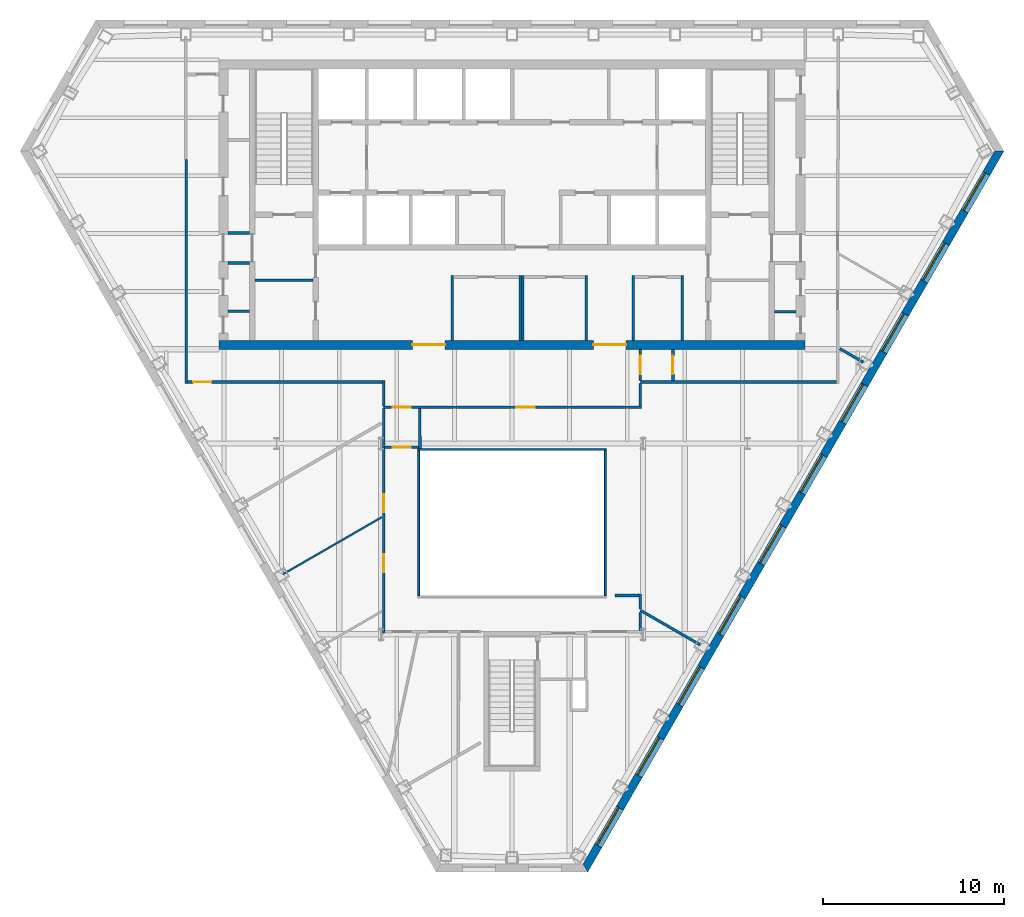
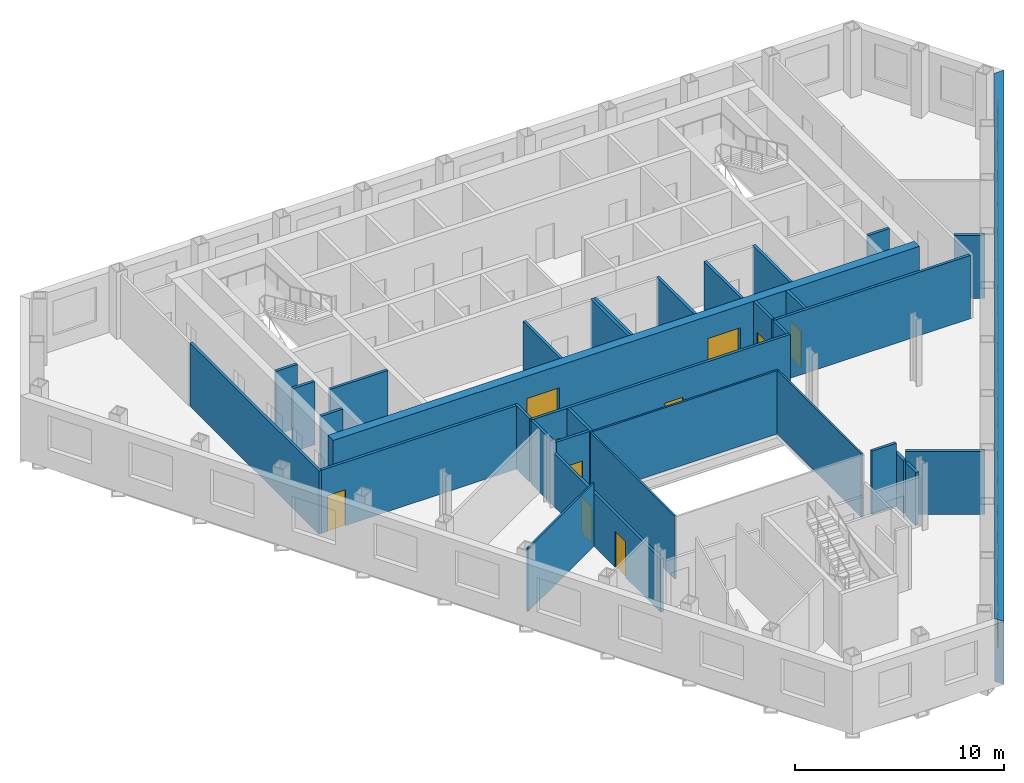
# One storey, part 5 of 11: 34 walls, 10 doors, 10 windows, 20 openings.
"""IFC4 building model written with IfcOpenShell, lengths in metres."""

import ifcopenshell
import ifcopenshell.guid

model = None  # the IFC model being written
_history = None  # IfcOwnerHistory: only IFC2X3 demands one
_inside = {}  # id of a spatial element -> (the spatial element, [elements in it])
_under = {}  # id of a project, library or spatial element -> (it, [spatial elements below it])
_declared = {}  # id of a project -> (the project, [libraries it declares])
_typed = {}  # id of a type object -> (the type object, [elements of that type])
_made_of = {}  # id of a material, layer set ... -> (it, [elements and type objects made of it])


def new_model(schema):
    """Start an empty IFC model of exactly this schema.

    Asked for "IFC4X3", IfcOpenShell would pick the latest addendum, in which some entities
    have other attributes; the version numbers below select the first issue.
    IFC2X3 requires an IfcOwnerHistory on every rooted entity: one is made here for all.
    """
    global model, _history
    if schema == "IFC4X3":
        model = ifcopenshell.file(schema_version=(4, 3, 0, 0))
    else:
        model = ifcopenshell.file(schema=schema)
    _inside.clear()
    _under.clear()
    _declared.clear()
    _typed.clear()
    _made_of.clear()
    _history = None
    if model.schema == "IFC2X3":
        org = make("IfcOrganization", Name="unknown")
        user = make(
            "IfcPersonAndOrganization",
            ThePerson=make("IfcPerson", FamilyName="unknown"),
            TheOrganization=org,
        )
        app = make(
            "IfcApplication",
            ApplicationDeveloper=org,
            Version="unknown",
            ApplicationFullName="unknown",
            ApplicationIdentifier="unknown",
        )
        _history = make(
            "IfcOwnerHistory",
            OwningUser=user,
            OwningApplication=app,
            ChangeAction="ADDED",
            CreationDate=0,
        )
    return model


def make(cls, **values):
    """One entity of the class cls with the attributes given. An attribute that is None is left unset."""
    return model.create_entity(
        cls, **{name: value for name, value in values.items() if value is not None}
    )


def rooted(cls, **values):
    """An entity with a GlobalId (a new one), such as an element, a storey or a relation."""
    return make(cls, GlobalId=ifcopenshell.guid.new(), OwnerHistory=_history, **values)


def si_unit(unit_type, name, prefix=None):
    """IfcSIUnit, for example si_unit("LENGTHUNIT", "METRE", prefix="MILLI")."""
    return make("IfcSIUnit", UnitType=unit_type, Prefix=prefix, Name=name)


def assignment(units):
    """IfcUnitAssignment: the units of a project."""
    return None if units is None else make("IfcUnitAssignment", Units=units)


def point(xyz):
    """IfcCartesianPoint."""
    return None if xyz is None else make("IfcCartesianPoint", Coordinates=xyz)


def direction(xyz):
    """IfcDirection."""
    return None if xyz is None else make("IfcDirection", DirectionRatios=xyz)


def frame(location, z_axis=None, x_axis=None):
    """IfcAxis2Placement3D, a coordinate frame: its origin and axes. An axis left out is left unset."""
    return make(
        "IfcAxis2Placement3D",
        Location=point(location),
        Axis=direction(z_axis),
        RefDirection=direction(x_axis),
    )


def frame_2d(location, x_axis=None):
    """IfcAxis2Placement2D, a coordinate frame in the plane: its origin and x axis."""
    return make(
        "IfcAxis2Placement2D", Location=point(location), RefDirection=direction(x_axis)
    )


def origin():
    """The frame at (0, 0, 0) with its axes left unset."""
    return frame((0.0, 0.0, 0.0))


def place(relative_to, where):
    """IfcLocalPlacement: puts the frame where relative to a parent placement (None: the world)."""
    return make(
        "IfcLocalPlacement", PlacementRelTo=relative_to, RelativePlacement=where
    )


def context(
    kind, dimensions, precision=None, world=None, true_north=None, identifier=None
):
    """IfcGeometricRepresentationContext, for example the 3D "Model" context."""
    return make(
        "IfcGeometricRepresentationContext",
        ContextIdentifier=identifier,
        ContextType=kind,
        CoordinateSpaceDimension=dimensions,
        Precision=precision,
        WorldCoordinateSystem=world,
        TrueNorth=true_north,
    )


def subcontext(parent, identifier, kind, view, scale=None):
    """IfcGeometricRepresentationSubContext, for example "Body" below "Model"."""
    return make(
        "IfcGeometricRepresentationSubContext",
        ContextIdentifier=identifier,
        ContextType=kind,
        ParentContext=parent,
        TargetScale=scale,
        TargetView=view,
    )


def project(units=None, contexts=None):
    """IfcProject with its units and contexts."""
    return rooted(
        "IfcProject",
        Name="project",
        RepresentationContexts=contexts,
        UnitsInContext=assignment(units),
    )


def spatial(cls, under=None, at=None, **own):
    """A site, building, storey or space (cls), placed at a placement, below another one or the project."""
    s = rooted(cls, ObjectPlacement=at, **own)
    if under is not None:
        _under.setdefault(under.id(), (under, []))[1].append(s)
    return s


def polyline(points):
    """IfcPolyline through the points."""
    return make("IfcPolyline", Points=[point(p) for p in points])


def profile(cls, at=None, kind="AREA", **sizes):
    """A parametric profile (cls). Its sizes go by their IFC names, for example OverallWidth=200.0."""
    return make(cls, ProfileType=kind, Position=at, **sizes)


def rectangle(**sizes):
    """IfcRectangleProfileDef."""
    return profile("IfcRectangleProfileDef", **sizes)


def outline(outer, holes=None, kind="AREA"):
    """IfcArbitraryClosedProfileDef: a profile drawn as a closed curve; with holes, ...WithVoids."""
    if holes is None:
        return make("IfcArbitraryClosedProfileDef", ProfileType=kind, OuterCurve=outer)
    return make(
        "IfcArbitraryProfileDefWithVoids",
        ProfileType=kind,
        OuterCurve=outer,
        InnerCurves=holes,
    )


def extrude(swept, where, along, depth):
    """IfcExtrudedAreaSolid: the profile swept, set in the frame where, extruded along a direction by depth."""
    return make(
        "IfcExtrudedAreaSolid",
        SweptArea=swept,
        Position=where,
        ExtrudedDirection=direction(along),
        Depth=depth,
    )


def shape(context_of_items, identifier, shape_type, items):
    """IfcShapeRepresentation: the items that make up one representation, for example the "Body"."""
    return make(
        "IfcShapeRepresentation",
        ContextOfItems=context_of_items,
        RepresentationIdentifier=identifier,
        RepresentationType=shape_type,
        Items=items,
    )


def material(Name=None, Category=None):
    """IfcMaterial."""
    return make("IfcMaterial", Name=Name, Category=Category)


def layer(
    of_material, thickness, ventilated=None, Name=None, Category=None, Priority=None
):
    """IfcMaterialLayer: one layer of a wall or slab, of a material (None: an air gap)."""
    return make(
        "IfcMaterialLayer",
        Material=of_material,
        LayerThickness=thickness,
        IsVentilated=ventilated,
        Name=Name,
        Category=Category,
        Priority=Priority,
    )


def layer_set(layers, Name=None):
    """IfcMaterialLayerSet."""
    return make("IfcMaterialLayerSet", MaterialLayers=layers, LayerSetName=Name)


def made_of(thing, what):
    """Note that an element or type object is made of a material, layer set ...; save() writes the relation."""
    if what is not None:
        _made_of.setdefault(what.id(), (what, []))[1].append(thing)
    return thing


def type_object(cls, material=None, **own):
    """A type object (cls), such as IfcWallType, which elements share."""
    return made_of(rooted(cls, **own), material)


def element(
    cls,
    number,
    at=None,
    inside=None,
    cuts=None,
    type_object=None,
    material=None,
    context=None,
    identifier="Body",
    shape_type=None,
    held_by="IfcProductDefinitionShape",
    body=None,
    shapes=None,
    **own,
):
    """One element of the class cls, such as IfcWall. Its Tag is "e" and its number.

    at: its placement. inside: the storey or other place that contains it. cuts: it is an
    opening in that element (IfcRelVoidsElement). A single representation is given by context,
    identifier, shape_type and body (its items); several are given by shapes. held_by: the class
    of the entity that holds the representations. save() writes the other relations.
    """
    e = rooted(cls, Tag="e%d" % number, ObjectPlacement=at, **own)
    if body is not None:
        shapes = [shape(context, identifier, shape_type, body)]
    if shapes is not None:
        e.Representation = make(held_by, Representations=shapes)
    if inside is not None:
        _inside.setdefault(inside.id(), (inside, []))[1].append(e)
    if cuts is not None:
        rooted(
            "IfcRelVoidsElement", RelatingBuildingElement=cuts, RelatedOpeningElement=e
        )
    if type_object is not None:
        _typed.setdefault(type_object.id(), (type_object, []))[1].append(e)
    return made_of(e, material)


def fill(opening, filler):
    """IfcRelFillsElement: the door or window that sits in an opening."""
    return rooted(
        "IfcRelFillsElement",
        RelatingOpeningElement=opening,
        RelatedBuildingElement=filler,
    )


def aggregate(whole, parts):
    """IfcRelAggregates: a whole, such as a stair, and the parts it consists of."""
    return rooted("IfcRelAggregates", RelatingObject=whole, RelatedObjects=parts)


def save(model, path):
    """Write the relations noted so far, then the file.

    IfcRelAggregates (storeys below a building ...), IfcRelContainedInSpatialStructure (elements
    in a storey), IfcRelDefinesByType, IfcRelAssociatesMaterial and IfcRelDeclares: one each for
    every whole, place, type object, material and project.
    """
    for whole, parts in _under.values():
        aggregate(whole, parts)
    for where, things in _inside.values():
        rooted(
            "IfcRelContainedInSpatialStructure",
            RelatedElements=things,
            RelatingStructure=where,
        )
    for kind, things in _typed.values():
        rooted("IfcRelDefinesByType", RelatedObjects=things, RelatingType=kind)
    for what, things in _made_of.values():
        rooted("IfcRelAssociatesMaterial", RelatedObjects=things, RelatingMaterial=what)
    for by, libraries in _declared.values():
        rooted("IfcRelDeclares", RelatingContext=by, RelatedDefinitions=libraries)
    model.write(path)


model = new_model("IFC4")

# Units and contexts
model_context = context("Model", 3, precision=1e-05, world=origin(), true_north=direction((0.0, 1.0)))
body_context = subcontext(model_context, "Body", "Model", "MODEL_VIEW")
ifc_project = project(units=[si_unit("LENGTHUNIT", "METRE"), si_unit("AREAUNIT", "SQUARE_METRE"), si_unit("VOLUMEUNIT", "CUBIC_METRE"), si_unit("PLANEANGLEUNIT", "RADIAN"), si_unit("MASSUNIT", "GRAM", prefix="KILO")], contexts=[model_context])

# Site, building, storey
site_placement = place(None, origin())
site = spatial("IfcSite", under=ifc_project, at=site_placement, CompositionType="ELEMENT")
building_placement = place(site_placement, origin())
building = spatial("IfcBuilding", under=site, at=building_placement, Name="Njiva Tower", CompositionType="ELEMENT")
storey_placement = place(building_placement, frame((0.0, 0.0, 163.2)))
storey = spatial("IfcBuildingStorey", under=building, at=storey_placement, Name="L35", CompositionType="ELEMENT", Elevation=163.2)

# Walls
ifc_material_1 = material(Name="Blockwork", Category="masonry")
ifc_layer_1 = layer(ifc_material_1, 0.15)
ifc_layer_set_1 = layer_set([ifc_layer_1], Name="Blockwork")
wall_type_1 = type_object("IfcWallType", Name="WT1 Compartment partition 150", PredefinedType="PARTITIONING", material=ifc_layer_set_1)
wall_1_placement = place(storey_placement, frame((-14.2, 5.825, 0.0), z_axis=(0.0, 0.0, 1.0), x_axis=(1.0, 0.0, 0.0)))
element("IfcWall", 1, at=wall_1_placement, inside=storey, type_object=wall_type_1, Name="Room wall A", PredefinedType="PARTITIONING", context=body_context, shape_type="SweptSolid", body=[
    extrude(rectangle(XDim=3.2, YDim=0.15, at=frame_2d((1.6, 0.0))), origin(), (0.0, 0.0, 1.0), 3.7),
])
wall_2_placement = place(storey_placement, frame((-15.7, 4.107, 0.0), z_axis=(0.0, 0.0, 1.0), x_axis=(1.0, 0.0, 0.0)))
element("IfcWall", 2, at=wall_2_placement, inside=storey, type_object=wall_type_1, Name="Partition strip W00", PredefinedType="PARTITIONING", context=body_context, shape_type="SweptSolid", body=[
    extrude(rectangle(XDim=1.2, YDim=0.15, at=frame_2d((0.6, 0.0))), origin(), (0.0, 0.0, 1.0), 3.7),
])
for number, where, z_axis, x_axis, name in (
    (3, (-3.3, 2.5, 0.0), (0.0, 0.0, 1.0), (0.0, 1.0, 0.0), "First aid room wall west"),
    (4, (0.45, 2.5, 0.0), (0.0, 0.0, 1.0), (0.0, 1.0, 0.0), "First aid room wall east"),
    (5, (0.6, 2.5, 0.0), (0.0, 0.0, 1.0), (0.0, 1.0, 0.0), "Parcel room wall west"),
    (6, (4.1, 2.5, 0.0), (0.0, 0.0, 1.0), (0.0, 1.0, 0.0), "Parcel room wall east"),
    (7, (6.7, 2.5, 0.0), (0.0, 0.0, 1.0), (0.0, 1.0, 0.0), "Security office wall west"),
    (8, (9.4, 2.5, 0.0), (0.0, 0.0, 1.0), (0.0, 1.0, 0.0), "Security office wall east"),
):
    element("IfcWall", number, at=place(storey_placement, frame(where, z_axis=z_axis, x_axis=x_axis)), inside=storey, type_object=wall_type_1, Name=name, PredefinedType="PARTITIONING", context=body_context, shape_type="SweptSolid", body=[
        extrude(rectangle(XDim=3.575, YDim=0.15, at=frame_2d((1.7875, 0.0))), origin(), (0.0, 0.0, 1.0), 3.7),
    ])

# Wall, openings, doors
ifc_material_2 = material(Name="Concrete C60/75", Category="concrete")
ifc_layer_2 = layer(ifc_material_2, 0.5)
ifc_layer_set_2 = layer_set([ifc_layer_2], Name="Concrete C60/75")
wall_type_2 = type_object("IfcWallType", Name="WT13 Core wall 500", PredefinedType="SHEAR", material=ifc_layer_set_2)
wall_3_placement = place(storey_placement, frame((-16.2, 2.25, 0.0), z_axis=(0.0, 0.0, 1.0), x_axis=(1.0, 0.0, 0.0)))
wall_3 = element("IfcWall", 9, at=wall_3_placement, inside=storey, type_object=wall_type_2, Name="Core wall south", PredefinedType="SHEAR", context=body_context, shape_type="SweptSolid", body=[
    extrude(rectangle(XDim=32.4, YDim=0.5, at=frame_2d((16.2, 0.0))), origin(), (0.0, 0.0, 1.0), 3.7),
])
opening_1_placement = place(wall_3_placement, frame((10.7, 0.0, 0.0)))
opening_1 = element("IfcOpeningElement", 10, at=opening_1_placement, cuts=wall_3, Name="Opening S12-D937", PredefinedType="OPENING", context=body_context, shape_type="SweptSolid", body=[
    extrude(rectangle(XDim=1.8, YDim=2.4, at=frame_2d((0.9, 1.2))), frame((0.0, 0.26, 0.0), z_axis=(0.0, -1.0, 0.0), x_axis=(1.0, 0.0, 0.0)), (0.0, 0.0, 1.0), 0.52),
])
opening_2_placement = place(wall_3_placement, frame((20.7, 0.0, 0.0)))
opening_2 = element("IfcOpeningElement", 11, at=opening_2_placement, cuts=wall_3, Name="Opening S12-D938", PredefinedType="OPENING", context=body_context, shape_type="SweptSolid", body=[
    extrude(rectangle(XDim=1.8, YDim=2.4, at=frame_2d((0.9, 1.2))), frame((0.0, 0.26, 0.0), z_axis=(0.0, -1.0, 0.0), x_axis=(1.0, 0.0, 0.0)), (0.0, 0.0, 1.0), 0.52),
])
ifc_material_3 = material(Name="Steel and glass door", Category="steel")
door_type_1 = type_object("IfcDoorType", Name="D3 Core entrance door 1800x2400", OperationType="DOUBLE_DOOR_SINGLE_SWING", PredefinedType="DOOR", material=ifc_material_3)
door_1_placement = place(opening_1_placement, origin())
door_1 = element("IfcDoor", 12, at=door_1_placement, inside=storey, type_object=door_type_1, Name="Core entrance door", OperationType="DOUBLE_DOOR_SINGLE_SWING", OverallHeight=2.4, OverallWidth=1.8, PredefinedType="DOOR", context=body_context, shape_type="SweptSolid", body=[
    extrude(rectangle(XDim=1.8, YDim=2.4, at=frame_2d((0.9, 1.2))), frame((0.0, 0.025, 0.0), z_axis=(0.0, -1.0, 0.0), x_axis=(1.0, 0.0, 0.0)), (0.0, 0.0, 1.0), 0.05),
])
fill(opening_1, door_1)
door_2_placement = place(opening_2_placement, origin())
door_2 = element("IfcDoor", 13, at=door_2_placement, inside=storey, type_object=door_type_1, Name="Core entrance door", OperationType="DOUBLE_DOOR_SINGLE_SWING", OverallHeight=2.4, OverallWidth=1.8, PredefinedType="DOOR", context=body_context, shape_type="SweptSolid", body=[
    extrude(rectangle(XDim=1.8, YDim=2.4, at=frame_2d((0.9, 1.2))), frame((0.0, 0.025, 0.0), z_axis=(0.0, -1.0, 0.0), x_axis=(1.0, 0.0, 0.0)), (0.0, 0.0, 1.0), 0.05),
])
fill(opening_2, door_2)

# Walls
ifc_material_4 = material(Name="Gypsum board on steel studs", Category="gypsum")
ifc_layer_3 = layer(ifc_material_4, 0.1)
ifc_layer_set_3 = layer_set([ifc_layer_3], Name="Gypsum board on steel studs")
wall_type_3 = type_object("IfcWallType", Name="WT20 Gypsum partition 100", PredefinedType="PARTITIONING", material=ifc_layer_set_3)
wall_4_placement = place(storey_placement, frame((-12.652, -10.421, 0.0), z_axis=(0.0, 0.0, 1.0), x_axis=(0.866058850386, 0.499942064311, 0.0)))
element("IfcWall", 14, at=wall_4_placement, inside=storey, type_object=wall_type_3, Name="Partition S12-P006", PredefinedType="PARTITIONING", context=body_context, shape_type="SweptSolid", body=[
    extrude(rectangle(XDim=6.3067, YDim=0.1, at=frame_2d((3.1534, 0.0))), origin(), (0.0, 0.0, 1.0), 3.7),
])
ifc_layer_4 = layer(ifc_material_4, 0.15)
ifc_layer_set_4 = layer_set([ifc_layer_4], Name="Gypsum board on steel studs")
wall_type_4 = type_object("IfcWallType", Name="WT21 Compartment wall 150", PredefinedType="PARTITIONING", material=ifc_layer_set_4)
wall_5_placement = place(storey_placement, frame((-18.0, 0.125, 0.0), z_axis=(0.0, 0.0, 1.0), x_axis=(0.0, 1.0, 0.0)))
element("IfcWall", 15, at=wall_5_placement, inside=storey, type_object=wall_type_4, Name="Partition S12-P002", PredefinedType="PARTITIONING", context=body_context, shape_type="SweptSolid", body=[
    extrude(rectangle(XDim=12.355, YDim=0.15, at=frame_2d((6.1775, 0.0))), origin(), (0.0, 0.0, 1.0), 3.7),
])

# Wall, opening, door
wall_6_placement = place(storey_placement, frame((-17.925, 0.2, 0.0), z_axis=(0.0, 0.0, 1.0), x_axis=(1.0, 0.0, 0.0)))
wall_6 = element("IfcWall", 16, at=wall_6_placement, inside=storey, type_object=wall_type_4, Name="Partition S12-P004", PredefinedType="PARTITIONING", context=body_context, shape_type="SweptSolid", body=[
    extrude(rectangle(XDim=10.759, YDim=0.15, at=frame_2d((5.3795, 0.0))), origin(), (0.0, 0.0, 1.0), 3.7),
])
opening_3_placement = place(wall_6_placement, frame((0.312, 0.0, 0.0)))
opening_3 = element("IfcOpeningElement", 17, at=opening_3_placement, cuts=wall_6, Name="Opening S12-D002", PredefinedType="OPENING", context=body_context, shape_type="SweptSolid", body=[
    extrude(rectangle(XDim=1.0, YDim=2.1, at=frame_2d((0.5, 1.05))), frame((0.0, 0.085, 0.0), z_axis=(0.0, -1.0, 0.0), x_axis=(1.0, 0.0, 0.0)), (0.0, 0.0, 1.0), 0.17),
])
ifc_material_5 = material(Name="Steel fire door set", Category="steel")
door_type_2 = type_object("IfcDoorType", Name="D37 Fire door 1000x2100", OperationType="SINGLE_SWING_LEFT", PredefinedType="DOOR", material=ifc_material_5)
door_3_placement = place(opening_3_placement, origin())
door_3 = element("IfcDoor", 18, at=door_3_placement, inside=storey, type_object=door_type_2, Name="Door S12-D002", OperationType="SINGLE_SWING_LEFT", OverallHeight=2.1, OverallWidth=1.0, PredefinedType="DOOR", context=body_context, shape_type="SweptSolid", body=[
    extrude(rectangle(XDim=1.0, YDim=2.1, at=frame_2d((0.5, 1.05))), frame((0.0, 0.025, 0.0), z_axis=(0.0, -1.0, 0.0), x_axis=(1.0, 0.0, 0.0)), (0.0, 0.0, 1.0), 0.05),
])
fill(opening_3, door_3)

# Wall
wall_7_placement = place(storey_placement, frame((-7.091, -1.125, 0.0), z_axis=(0.0, 0.0, 1.0), x_axis=(0.0, 1.0, 0.0)))
element("IfcWall", 19, at=wall_7_placement, inside=storey, type_object=wall_type_4, Name="Partition S12-P008", PredefinedType="PARTITIONING", context=body_context, shape_type="SweptSolid", body=[
    extrude(rectangle(XDim=1.4, YDim=0.15, at=frame_2d((0.7, 0.0))), origin(), (0.0, 0.0, 1.0), 3.7),
])

# Wall, openings, doors
wall_8_placement = place(storey_placement, frame((-7.09, -1.2, 0.0), z_axis=(0.0, 0.0, 1.0), x_axis=(1.0, 0.0, 0.0)))
wall_8 = element("IfcWall", 20, at=wall_8_placement, inside=storey, type_object=wall_type_4, Name="Partition S12-P009", PredefinedType="PARTITIONING", context=body_context, shape_type="SweptSolid", body=[
    extrude(rectangle(XDim=14.255, YDim=0.15, at=frame_2d((7.1275, 0.0))), origin(), (0.0, 0.0, 1.0), 3.7),
])
opening_4_placement = place(wall_8_placement, frame((0.5, 0.0, 0.0)))
opening_4 = element("IfcOpeningElement", 21, at=opening_4_placement, cuts=wall_8, Name="Opening S12-D003", PredefinedType="OPENING", context=body_context, shape_type="SweptSolid", body=[
    extrude(rectangle(XDim=1.0, YDim=2.1, at=frame_2d((0.5, 1.05))), frame((0.0, 0.085, 0.0), z_axis=(0.0, -1.0, 0.0), x_axis=(1.0, 0.0, 0.0)), (0.0, 0.0, 1.0), 0.17),
])
opening_5_placement = place(wall_8_placement, frame((7.338, 0.0, 0.0)))
opening_5 = element("IfcOpeningElement", 22, at=opening_5_placement, cuts=wall_8, Name="Opening S12-D004", PredefinedType="OPENING", context=body_context, shape_type="SweptSolid", body=[
    extrude(rectangle(XDim=1.0, YDim=2.1, at=frame_2d((0.5, 1.05))), frame((0.0, 0.085, 0.0), z_axis=(0.0, -1.0, 0.0), x_axis=(1.0, 0.0, 0.0)), (0.0, 0.0, 1.0), 0.17),
])
door_4_placement = place(opening_4_placement, origin())
door_4 = element("IfcDoor", 23, at=door_4_placement, inside=storey, type_object=door_type_2, Name="Door S12-D003", OperationType="SINGLE_SWING_RIGHT", OverallHeight=2.1, OverallWidth=1.0, PredefinedType="DOOR", context=body_context, shape_type="SweptSolid", body=[
    extrude(rectangle(XDim=1.0, YDim=2.1, at=frame_2d((0.5, 1.05))), frame((0.0, 0.025, 0.0), z_axis=(0.0, -1.0, 0.0), x_axis=(1.0, 0.0, 0.0)), (0.0, 0.0, 1.0), 0.05),
])
fill(opening_4, door_4)
door_5_placement = place(opening_5_placement, origin())
door_5 = element("IfcDoor", 24, at=door_5_placement, inside=storey, type_object=door_type_2, Name="Door S12-D004", OperationType="SINGLE_SWING_RIGHT", OverallHeight=2.1, OverallWidth=1.0, PredefinedType="DOOR", context=body_context, shape_type="SweptSolid", body=[
    extrude(rectangle(XDim=1.0, YDim=2.1, at=frame_2d((0.5, 1.05))), frame((0.0, 0.025, 0.0), z_axis=(0.0, -1.0, 0.0), x_axis=(1.0, 0.0, 0.0)), (0.0, 0.0, 1.0), 0.05),
])
fill(opening_5, door_5)

wall_9_placement = place(storey_placement, frame((-7.09, -13.675, 0.0), z_axis=(0.0, 0.0, 1.0), x_axis=(-7.8316201e-05, 0.999999996933, 0.0)))
wall_9 = element("IfcWall", 25, at=wall_9_placement, inside=storey, type_object=wall_type_4, Name="Partition S12-P010", PredefinedType="PARTITIONING", context=body_context, shape_type="SweptSolid", body=[
    extrude(rectangle(XDim=10.215, YDim=0.15, at=frame_2d((5.1075, 0.0))), origin(), (0.0, 0.0, 1.0), 3.11),
])
opening_6_placement = place(wall_9_placement, frame((3.362, 0.0, 0.0)))
opening_6 = element("IfcOpeningElement", 26, at=opening_6_placement, cuts=wall_9, Name="Opening S12-D005", PredefinedType="OPENING", context=body_context, shape_type="SweptSolid", body=[
    extrude(rectangle(XDim=1.0, YDim=2.1, at=frame_2d((0.5, 1.05))), frame((0.0, 0.085, 0.0), z_axis=(0.0, -1.0, 0.0), x_axis=(1.0, 0.0, 0.0)), (0.0, 0.0, 1.0), 0.17),
])
opening_7_placement = place(wall_9_placement, frame((6.665, 0.0, 0.0)))
opening_7 = element("IfcOpeningElement", 27, at=opening_7_placement, cuts=wall_9, Name="Opening S12-D006", PredefinedType="OPENING", context=body_context, shape_type="SweptSolid", body=[
    extrude(rectangle(XDim=1.0, YDim=2.1, at=frame_2d((0.5, 1.05))), frame((0.0, 0.085, 0.0), z_axis=(0.0, -1.0, 0.0), x_axis=(1.0, 0.0, 0.0)), (0.0, 0.0, 1.0), 0.17),
])
door_6_placement = place(opening_6_placement, origin())
door_6 = element("IfcDoor", 28, at=door_6_placement, inside=storey, type_object=door_type_2, Name="Door S12-D005", OperationType="SINGLE_SWING_RIGHT", OverallHeight=2.1, OverallWidth=1.0, PredefinedType="DOOR", context=body_context, shape_type="SweptSolid", body=[
    extrude(rectangle(XDim=1.0, YDim=2.1, at=frame_2d((0.5, 1.05))), frame((0.0, 0.025, 0.0), z_axis=(0.0, -1.0, 0.0), x_axis=(1.0, 0.0, 0.0)), (0.0, 0.0, 1.0), 0.05),
])
fill(opening_6, door_6)
door_7_placement = place(opening_7_placement, origin())
door_7 = element("IfcDoor", 29, at=door_7_placement, inside=storey, type_object=door_type_2, Name="Door S12-D006", OperationType="SINGLE_SWING_LEFT", OverallHeight=2.1, OverallWidth=1.0, PredefinedType="DOOR", context=body_context, shape_type="SweptSolid", body=[
    extrude(rectangle(XDim=1.0, YDim=2.1, at=frame_2d((0.5, 1.05))), frame((0.0, 0.025, 0.0), z_axis=(0.0, -1.0, 0.0), x_axis=(1.0, 0.0, 0.0)), (0.0, 0.0, 1.0), 0.05),
])
fill(opening_7, door_7)

# Wall
wall_10_placement = place(storey_placement, frame((-7.0908, -3.46, 0.0), z_axis=(0.0, 0.0, 1.0), x_axis=(-9.153318e-05, 0.999999995811, 0.0)))
element("IfcWall", 30, at=wall_10_placement, inside=storey, type_object=wall_type_4, Name="Partition S12-P010A", PredefinedType="PARTITIONING", context=body_context, shape_type="SweptSolid", body=[
    extrude(rectangle(XDim=2.185, YDim=0.15, at=frame_2d((1.0925, 0.0))), origin(), (0.0, 0.0, 1.0), 3.7),
])

# Wall, opening, door
wall_11_placement = place(storey_placement, frame((-7.016, -3.4, 0.0), z_axis=(0.0, 0.0, 1.0), x_axis=(1.0, 0.0, 0.0)))
wall_11 = element("IfcWall", 31, at=wall_11_placement, inside=storey, type_object=wall_type_4, Name="Partition S12-P011", PredefinedType="PARTITIONING", context=body_context, shape_type="SweptSolid", body=[
    extrude(rectangle(XDim=1.852, YDim=0.15, at=frame_2d((0.926, 0.0))), origin(), (0.0, 0.0, 1.0), 3.7),
])
opening_8_placement = place(wall_11_placement, frame((0.426, 0.0, 0.0)))
opening_8 = element("IfcOpeningElement", 32, at=opening_8_placement, cuts=wall_11, Name="Opening S12-D007", PredefinedType="OPENING", context=body_context, shape_type="SweptSolid", body=[
    extrude(rectangle(XDim=1.0, YDim=2.1, at=frame_2d((0.5, 1.05))), frame((0.0, 0.085, 0.0), z_axis=(0.0, -1.0, 0.0), x_axis=(1.0, 0.0, 0.0)), (0.0, 0.0, 1.0), 0.17),
])
door_8_placement = place(opening_8_placement, origin())
door_8 = element("IfcDoor", 33, at=door_8_placement, inside=storey, type_object=door_type_2, Name="Door S12-D007", OperationType="SINGLE_SWING_RIGHT", OverallHeight=2.1, OverallWidth=1.0, PredefinedType="DOOR", context=body_context, shape_type="SweptSolid", body=[
    extrude(rectangle(XDim=1.0, YDim=2.1, at=frame_2d((0.5, 1.05))), frame((0.0, 0.025, 0.0), z_axis=(0.0, -1.0, 0.0), x_axis=(1.0, 0.0, 0.0)), (0.0, 0.0, 1.0), 0.05),
])
fill(opening_8, door_8)

# Walls
wall_12_placement = place(storey_placement, frame((-5.089, -3.48, 0.0), z_axis=(0.0, 0.0, 1.0), x_axis=(-0.000453514693, 0.999999897162, 0.0)))
element("IfcWall", 34, at=wall_12_placement, inside=storey, type_object=wall_type_4, Name="Partition S12-P015", PredefinedType="PARTITIONING", context=body_context, shape_type="SweptSolid", body=[
    extrude(rectangle(XDim=2.205, YDim=0.15, at=frame_2d((1.1025, 0.0))), origin(), (0.0, 0.0, 1.0), 3.7),
])
wall_13_placement = place(storey_placement, frame((5.679, -11.6, 0.0), z_axis=(0.0, 0.0, 1.0), x_axis=(1.0, 0.0, 0.0)))
element("IfcWall", 35, at=wall_13_placement, inside=storey, type_object=wall_type_4, Name="Partition S12-P019", PredefinedType="PARTITIONING", context=body_context, shape_type="SweptSolid", body=[
    extrude(rectangle(XDim=1.336, YDim=0.15, at=frame_2d((0.668, 0.0))), origin(), (0.0, 0.0, 1.0), 3.7),
])
wall_14_placement = place(storey_placement, frame((7.09, -13.525, 0.0), z_axis=(0.0, 0.0, 1.0), x_axis=(0.0, 1.0, 0.0)))
element("IfcWall", 36, at=wall_14_placement, inside=storey, type_object=wall_type_4, Name="Partition S12-P020", PredefinedType="PARTITIONING", context=body_context, shape_type="SweptSolid", body=[
    extrude(rectangle(XDim=0.98, YDim=0.15, at=frame_2d((0.49, 0.0))), origin(), (0.0, 0.0, 1.0), 3.11),
])
wall_15_placement = place(storey_placement, frame((7.09, -12.351, 0.0), z_axis=(0.0, 0.0, 1.0), x_axis=(0.0, 1.0, 0.0)))
element("IfcWall", 37, at=wall_15_placement, inside=storey, type_object=wall_type_4, Name="Partition S12-P021", PredefinedType="PARTITIONING", context=body_context, shape_type="SweptSolid", body=[
    extrude(rectangle(XDim=0.826, YDim=0.15, at=frame_2d((0.413, 0.0))), origin(), (0.0, 0.0, 1.0), 3.11),
])
wall_16_placement = place(storey_placement, frame((7.09, -1.125, 0.0), z_axis=(0.0, 0.0, 1.0), x_axis=(0.0, 1.0, 0.0)))
element("IfcWall", 38, at=wall_16_placement, inside=storey, type_object=wall_type_4, Name="Partition S12-P022", PredefinedType="PARTITIONING", context=body_context, shape_type="SweptSolid", body=[
    extrude(rectangle(XDim=1.25, YDim=0.15, at=frame_2d((0.625, 0.0))), origin(), (0.0, 0.0, 1.0), 3.7),
])
wall_17_placement = place(storey_placement, frame((7.09, 0.2, 0.0), z_axis=(0.0, 0.0, 1.0), x_axis=(1.0, 0.0, 0.0)))
element("IfcWall", 39, at=wall_17_placement, inside=storey, type_object=wall_type_4, Name="Partition S12-P023", PredefinedType="PARTITIONING", context=body_context, shape_type="SweptSolid", body=[
    extrude(rectangle(XDim=10.835, YDim=0.15, at=frame_2d((5.4175, 0.0))), origin(), (0.0, 0.0, 1.0), 3.7),
])

# Wall, opening, door
wall_18_placement = place(storey_placement, frame((7.09, 0.275, 0.0), z_axis=(0.0, 0.0, 1.0), x_axis=(0.0, 1.0, 0.0)))
wall_18 = element("IfcWall", 40, at=wall_18_placement, inside=storey, type_object=wall_type_4, Name="Partition S12-P024", PredefinedType="PARTITIONING", context=body_context, shape_type="SweptSolid", body=[
    extrude(rectangle(XDim=1.725, YDim=0.15, at=frame_2d((0.8625, 0.0))), origin(), (0.0, 0.0, 1.0), 3.7),
])
opening_9_placement = place(wall_18_placement, frame((0.362, 0.0, 0.0)))
opening_9 = element("IfcOpeningElement", 41, at=opening_9_placement, cuts=wall_18, Name="Opening S12-D012", PredefinedType="OPENING", context=body_context, shape_type="SweptSolid", body=[
    extrude(rectangle(XDim=1.0, YDim=2.1, at=frame_2d((0.5, 1.05))), frame((0.0, 0.085, 0.0), z_axis=(0.0, -1.0, 0.0), x_axis=(1.0, 0.0, 0.0)), (0.0, 0.0, 1.0), 0.17),
])
door_9_placement = place(opening_9_placement, origin())
door_9 = element("IfcDoor", 42, at=door_9_placement, inside=storey, type_object=door_type_2, Name="Door S12-D012", OperationType="SINGLE_SWING_LEFT", OverallHeight=2.1, OverallWidth=1.0, PredefinedType="DOOR", context=body_context, shape_type="SweptSolid", body=[
    extrude(rectangle(XDim=1.0, YDim=2.1, at=frame_2d((0.5, 1.05))), frame((0.0, 0.025, 0.0), z_axis=(0.0, -1.0, 0.0), x_axis=(1.0, 0.0, 0.0)), (0.0, 0.0, 1.0), 0.05),
])
fill(opening_9, door_9)

# Wall
wall_19_placement = place(storey_placement, frame((7.092, -12.416, 0.0), z_axis=(0.0, 0.0, 1.0), x_axis=(0.866107068482, -0.499858525911, 0.0)))
element("IfcWall", 43, at=wall_19_placement, inside=storey, type_object=wall_type_4, Name="Partition S12-P025", PredefinedType="PARTITIONING", context=body_context, shape_type="SweptSolid", body=[
    extrude(rectangle(XDim=3.8171, YDim=0.15, at=frame_2d((1.9086, 0.0))), origin(), (0.0, 0.0, 1.0), 3.7),
])

# Wall, opening, door
wall_20_placement = place(storey_placement, frame((8.89, 0.275, 0.0), z_axis=(0.0, 0.0, 1.0), x_axis=(0.0, 1.0, 0.0)))
wall_20 = element("IfcWall", 44, at=wall_20_placement, inside=storey, type_object=wall_type_4, Name="Partition S12-P026", PredefinedType="PARTITIONING", context=body_context, shape_type="SweptSolid", body=[
    extrude(rectangle(XDim=1.725, YDim=0.15, at=frame_2d((0.8625, 0.0))), origin(), (0.0, 0.0, 1.0), 3.7),
])
opening_10_placement = place(wall_20_placement, frame((0.363, 0.0, 0.0)))
opening_10 = element("IfcOpeningElement", 45, at=opening_10_placement, cuts=wall_20, Name="Opening S12-D013", PredefinedType="OPENING", context=body_context, shape_type="SweptSolid", body=[
    extrude(rectangle(XDim=1.0, YDim=2.1, at=frame_2d((0.5, 1.05))), frame((0.0, 0.085, 0.0), z_axis=(0.0, -1.0, 0.0), x_axis=(1.0, 0.0, 0.0)), (0.0, 0.0, 1.0), 0.17),
])
door_10_placement = place(opening_10_placement, origin())
door_10 = element("IfcDoor", 46, at=door_10_placement, inside=storey, type_object=door_type_2, Name="Door S12-D013", OperationType="SINGLE_SWING_RIGHT", OverallHeight=2.1, OverallWidth=1.0, PredefinedType="DOOR", context=body_context, shape_type="SweptSolid", body=[
    extrude(rectangle(XDim=1.0, YDim=2.1, at=frame_2d((0.5, 1.05))), frame((0.0, 0.025, 0.0), z_axis=(0.0, -1.0, 0.0), x_axis=(1.0, 0.0, 0.0)), (0.0, 0.0, 1.0), 0.05),
])
fill(opening_10, door_10)

# Walls
wall_21_placement = place(storey_placement, frame((18.113, 2.041, 0.0), z_axis=(0.0, 0.0, 1.0), x_axis=(0.865897129857, -0.500222111171, 0.0)))
element("IfcWall", 47, at=wall_21_placement, inside=storey, type_object=wall_type_4, Name="Partition S12-P031", PredefinedType="PARTITIONING", context=body_context, shape_type="SweptSolid", body=[
    extrude(rectangle(XDim=1.5013, YDim=0.15, at=frame_2d((0.7506, 0.0))), origin(), (0.0, 0.0, 1.0), 3.7),
])
ifc_layer_5 = layer(ifc_material_1, 0.15)
ifc_layer_set_5 = layer_set([ifc_layer_5], Name="Blockwork")
wall_type_5 = type_object("IfcWallType", Name="WT3 Riser partition 150", PredefinedType="PARTITIONING", material=ifc_layer_set_5)
wall_22_placement = place(storey_placement, frame((14.5, 4.075, 0.0), z_axis=(0.0, 0.0, 1.0), x_axis=(1.0, 0.0, 0.0)))
element("IfcWall", 48, at=wall_22_placement, inside=storey, type_object=wall_type_5, Name="Partition strip E00", PredefinedType="PARTITIONING", context=body_context, shape_type="SweptSolid", body=[
    extrude(rectangle(XDim=1.2, YDim=0.15, at=frame_2d((0.6, 0.0))), origin(), (0.0, 0.0, 1.0), 3.7),
])
ifc_layer_6 = layer(ifc_material_1, 0.15)
ifc_layer_set_6 = layer_set([ifc_layer_6], Name="Blockwork")
wall_type_6 = type_object("IfcWallType", Name="WT4 Stair partition 150", PredefinedType="PARTITIONING", material=ifc_layer_set_6)
for number, where, z_axis, x_axis, name in (
    (49, (-15.7, 6.775, 0.0), (0.0, 0.0, 1.0), (1.0, 0.0, 0.0), "Stair A exit passage wall south"),
    (50, (-15.7, 8.425, 0.0), (0.0, 0.0, 1.0), (1.0, 0.0, 0.0), "Stair A exit passage wall north"),
):
    element("IfcWall", number, at=place(storey_placement, frame(where, z_axis=z_axis, x_axis=x_axis)), inside=storey, type_object=wall_type_6, Name=name, PredefinedType="PARTITIONING", context=body_context, shape_type="SweptSolid", body=[
        extrude(rectangle(XDim=1.2, YDim=0.15, at=frame_2d((0.6, 0.0))), origin(), (0.0, 0.0, 1.0), 3.7),
    ])

# Wall, openings, windows
ifc_material_6 = material(Name="Brick masonry", Category="masonry")
ifc_layer_7 = layer(ifc_material_6, 0.45)
ifc_layer_set_7 = layer_set([ifc_layer_7], Name="Brick masonry")
wall_type_7 = type_object("IfcWallType", Name="WT90 Brick pier and spandrel wall 450", PredefinedType="SOLIDWALL", material=ifc_layer_set_7)
wall_23_placement = place(storey_placement, frame((4.0551, -26.6608, -0.18), z_axis=(0.0, 0.0, 1.0), x_axis=(0.499999764979, 0.866025539474, 0.0)))
wall_23 = element("IfcWall", 51, at=wall_23_placement, inside=storey, type_object=wall_type_7, Name="Facade wall SE", PredefinedType="SOLIDWALL", context=body_context, shape_type="SweptSolid", body=[
    extrude(outline(polyline([(-0.1299, -0.225), (45.8701, -0.225), (45.6103, 0.225), (0.1299, 0.225), (-0.1299, -0.225)])), origin(), (0.0, 0.0, 1.0), 3.68),
])
opening_11_placement = place(wall_23_placement, frame((1.4242, 0.0, 1.08)))
opening_11 = element("IfcOpeningElement", 52, at=opening_11_placement, cuts=wall_23, Name="Opening S12-W24", PredefinedType="OPENING", context=body_context, shape_type="SweptSolid", body=[
    extrude(rectangle(XDim=2.4, YDim=2.0, at=frame_2d((1.2, 1.0))), frame((0.0, 0.235, 0.0), z_axis=(0.0, -1.0, 0.0), x_axis=(1.0, 0.0, 0.0)), (0.0, 0.0, 1.0), 0.47),
])
opening_12_placement = place(wall_23_placement, frame((5.8934, 0.0, 1.08)))
opening_12 = element("IfcOpeningElement", 53, at=opening_12_placement, cuts=wall_23, Name="Opening S12-W25", PredefinedType="OPENING", context=body_context, shape_type="SweptSolid", body=[
    extrude(rectangle(XDim=2.4, YDim=2.0, at=frame_2d((1.2, 1.0))), frame((0.0, 0.235, 0.0), z_axis=(0.0, -1.0, 0.0), x_axis=(1.0, 0.0, 0.0)), (0.0, 0.0, 1.0), 0.47),
])
opening_13_placement = place(wall_23_placement, frame((10.401, 0.0, 1.08)))
opening_13 = element("IfcOpeningElement", 54, at=opening_13_placement, cuts=wall_23, Name="Opening S12-W26", PredefinedType="OPENING", context=body_context, shape_type="SweptSolid", body=[
    extrude(rectangle(XDim=2.4, YDim=2.0, at=frame_2d((1.2, 1.0))), frame((0.0, 0.235, 0.0), z_axis=(0.0, -1.0, 0.0), x_axis=(1.0, 0.0, 0.0)), (0.0, 0.0, 1.0), 0.47),
])
opening_14_placement = place(wall_23_placement, frame((14.9087, 0.0, 1.08)))
opening_14 = element("IfcOpeningElement", 55, at=opening_14_placement, cuts=wall_23, Name="Opening S12-W27", PredefinedType="OPENING", context=body_context, shape_type="SweptSolid", body=[
    extrude(rectangle(XDim=2.4, YDim=2.0, at=frame_2d((1.2, 1.0))), frame((0.0, 0.235, 0.0), z_axis=(0.0, -1.0, 0.0), x_axis=(1.0, 0.0, 0.0)), (0.0, 0.0, 1.0), 0.47),
])
opening_15_placement = place(wall_23_placement, frame((19.4163, 0.0, 1.08)))
opening_15 = element("IfcOpeningElement", 56, at=opening_15_placement, cuts=wall_23, Name="Opening S12-W28", PredefinedType="OPENING", context=body_context, shape_type="SweptSolid", body=[
    extrude(rectangle(XDim=2.4, YDim=2.0, at=frame_2d((1.2, 1.0))), frame((0.0, 0.235, 0.0), z_axis=(0.0, -1.0, 0.0), x_axis=(1.0, 0.0, 0.0)), (0.0, 0.0, 1.0), 0.47),
])
opening_16_placement = place(wall_23_placement, frame((23.9239, 0.0, 1.08)))
opening_16 = element("IfcOpeningElement", 57, at=opening_16_placement, cuts=wall_23, Name="Opening S12-W29", PredefinedType="OPENING", context=body_context, shape_type="SweptSolid", body=[
    extrude(rectangle(XDim=2.4, YDim=2.0, at=frame_2d((1.2, 1.0))), frame((0.0, 0.235, 0.0), z_axis=(0.0, -1.0, 0.0), x_axis=(1.0, 0.0, 0.0)), (0.0, 0.0, 1.0), 0.47),
])
opening_17_placement = place(wall_23_placement, frame((28.4315, 0.0, 1.08)))
opening_17 = element("IfcOpeningElement", 58, at=opening_17_placement, cuts=wall_23, Name="Opening S12-W30", PredefinedType="OPENING", context=body_context, shape_type="SweptSolid", body=[
    extrude(rectangle(XDim=2.4, YDim=2.0, at=frame_2d((1.2, 1.0))), frame((0.0, 0.235, 0.0), z_axis=(0.0, -1.0, 0.0), x_axis=(1.0, 0.0, 0.0)), (0.0, 0.0, 1.0), 0.47),
])
opening_18_placement = place(wall_23_placement, frame((32.9391, 0.0, 1.08)))
opening_18 = element("IfcOpeningElement", 59, at=opening_18_placement, cuts=wall_23, Name="Opening S12-W31", PredefinedType="OPENING", context=body_context, shape_type="SweptSolid", body=[
    extrude(rectangle(XDim=2.4, YDim=2.0, at=frame_2d((1.2, 1.0))), frame((0.0, 0.235, 0.0), z_axis=(0.0, -1.0, 0.0), x_axis=(1.0, 0.0, 0.0)), (0.0, 0.0, 1.0), 0.47),
])
opening_19_placement = place(wall_23_placement, frame((37.4468, 0.0, 1.08)))
opening_19 = element("IfcOpeningElement", 60, at=opening_19_placement, cuts=wall_23, Name="Opening S12-W32", PredefinedType="OPENING", context=body_context, shape_type="SweptSolid", body=[
    extrude(rectangle(XDim=2.4, YDim=2.0, at=frame_2d((1.2, 1.0))), frame((0.0, 0.235, 0.0), z_axis=(0.0, -1.0, 0.0), x_axis=(1.0, 0.0, 0.0)), (0.0, 0.0, 1.0), 0.47),
])
opening_20_placement = place(wall_23_placement, frame((41.916, 0.0, 1.08)))
opening_20 = element("IfcOpeningElement", 61, at=opening_20_placement, cuts=wall_23, Name="Opening S12-W33", PredefinedType="OPENING", context=body_context, shape_type="SweptSolid", body=[
    extrude(rectangle(XDim=2.4, YDim=2.0, at=frame_2d((1.2, 1.0))), frame((0.0, 0.235, 0.0), z_axis=(0.0, -1.0, 0.0), x_axis=(1.0, 0.0, 0.0)), (0.0, 0.0, 1.0), 0.47),
])
ifc_material_7 = material(Name="Clear glazing in aluminium frame", Category="aluminium")
window_type = type_object("IfcWindowType", Name="W90 Deep-set window 2400x2000", PartitioningType="SINGLE_PANEL", PredefinedType="WINDOW", material=ifc_material_7)
window_1_placement = place(opening_11_placement, origin())
window_1 = element("IfcWindow", 62, at=window_1_placement, inside=storey, type_object=window_type, Name="Window", OverallHeight=2.0, OverallWidth=2.4, PartitioningType="SINGLE_PANEL", PredefinedType="WINDOW", context=body_context, shape_type="SweptSolid", body=[
    extrude(rectangle(XDim=2.4, YDim=2.0, at=frame_2d((1.2, 1.0))), frame((0.0, 0.105, 0.0), z_axis=(0.0, -1.0, 0.0), x_axis=(1.0, 0.0, 0.0)), (0.0, 0.0, 1.0), 0.06),
])
fill(opening_11, window_1)
window_2_placement = place(opening_12_placement, origin())
window_2 = element("IfcWindow", 63, at=window_2_placement, inside=storey, type_object=window_type, Name="Window", OverallHeight=2.0, OverallWidth=2.4, PartitioningType="SINGLE_PANEL", PredefinedType="WINDOW", context=body_context, shape_type="SweptSolid", body=[
    extrude(rectangle(XDim=2.4, YDim=2.0, at=frame_2d((1.2, 1.0))), frame((0.0, 0.105, 0.0), z_axis=(0.0, -1.0, 0.0), x_axis=(1.0, 0.0, 0.0)), (0.0, 0.0, 1.0), 0.06),
])
fill(opening_12, window_2)
window_3_placement = place(opening_13_placement, origin())
window_3 = element("IfcWindow", 64, at=window_3_placement, inside=storey, type_object=window_type, Name="Window", OverallHeight=2.0, OverallWidth=2.4, PartitioningType="SINGLE_PANEL", PredefinedType="WINDOW", context=body_context, shape_type="SweptSolid", body=[
    extrude(rectangle(XDim=2.4, YDim=2.0, at=frame_2d((1.2, 1.0))), frame((0.0, 0.105, 0.0), z_axis=(0.0, -1.0, 0.0), x_axis=(1.0, 0.0, 0.0)), (0.0, 0.0, 1.0), 0.06),
])
fill(opening_13, window_3)
window_4_placement = place(opening_14_placement, origin())
window_4 = element("IfcWindow", 65, at=window_4_placement, inside=storey, type_object=window_type, Name="Window", OverallHeight=2.0, OverallWidth=2.4, PartitioningType="SINGLE_PANEL", PredefinedType="WINDOW", context=body_context, shape_type="SweptSolid", body=[
    extrude(rectangle(XDim=2.4, YDim=2.0, at=frame_2d((1.2, 1.0))), frame((0.0, 0.105, 0.0), z_axis=(0.0, -1.0, 0.0), x_axis=(1.0, 0.0, 0.0)), (0.0, 0.0, 1.0), 0.06),
])
fill(opening_14, window_4)
window_5_placement = place(opening_15_placement, origin())
window_5 = element("IfcWindow", 66, at=window_5_placement, inside=storey, type_object=window_type, Name="Window", OverallHeight=2.0, OverallWidth=2.4, PartitioningType="SINGLE_PANEL", PredefinedType="WINDOW", context=body_context, shape_type="SweptSolid", body=[
    extrude(rectangle(XDim=2.4, YDim=2.0, at=frame_2d((1.2, 1.0))), frame((0.0, 0.105, 0.0), z_axis=(0.0, -1.0, 0.0), x_axis=(1.0, 0.0, 0.0)), (0.0, 0.0, 1.0), 0.06),
])
fill(opening_15, window_5)
window_6_placement = place(opening_16_placement, origin())
window_6 = element("IfcWindow", 67, at=window_6_placement, inside=storey, type_object=window_type, Name="Window", OverallHeight=2.0, OverallWidth=2.4, PartitioningType="SINGLE_PANEL", PredefinedType="WINDOW", context=body_context, shape_type="SweptSolid", body=[
    extrude(rectangle(XDim=2.4, YDim=2.0, at=frame_2d((1.2, 1.0))), frame((0.0, 0.105, 0.0), z_axis=(0.0, -1.0, 0.0), x_axis=(1.0, 0.0, 0.0)), (0.0, 0.0, 1.0), 0.06),
])
fill(opening_16, window_6)
window_7_placement = place(opening_17_placement, origin())
window_7 = element("IfcWindow", 68, at=window_7_placement, inside=storey, type_object=window_type, Name="Window", OverallHeight=2.0, OverallWidth=2.4, PartitioningType="SINGLE_PANEL", PredefinedType="WINDOW", context=body_context, shape_type="SweptSolid", body=[
    extrude(rectangle(XDim=2.4, YDim=2.0, at=frame_2d((1.2, 1.0))), frame((0.0, 0.105, 0.0), z_axis=(0.0, -1.0, 0.0), x_axis=(1.0, 0.0, 0.0)), (0.0, 0.0, 1.0), 0.06),
])
fill(opening_17, window_7)
window_8_placement = place(opening_18_placement, origin())
window_8 = element("IfcWindow", 69, at=window_8_placement, inside=storey, type_object=window_type, Name="Window", OverallHeight=2.0, OverallWidth=2.4, PartitioningType="SINGLE_PANEL", PredefinedType="WINDOW", context=body_context, shape_type="SweptSolid", body=[
    extrude(rectangle(XDim=2.4, YDim=2.0, at=frame_2d((1.2, 1.0))), frame((0.0, 0.105, 0.0), z_axis=(0.0, -1.0, 0.0), x_axis=(1.0, 0.0, 0.0)), (0.0, 0.0, 1.0), 0.06),
])
fill(opening_18, window_8)
window_9_placement = place(opening_19_placement, origin())
window_9 = element("IfcWindow", 70, at=window_9_placement, inside=storey, type_object=window_type, Name="Window", OverallHeight=2.0, OverallWidth=2.4, PartitioningType="SINGLE_PANEL", PredefinedType="WINDOW", context=body_context, shape_type="SweptSolid", body=[
    extrude(rectangle(XDim=2.4, YDim=2.0, at=frame_2d((1.2, 1.0))), frame((0.0, 0.105, 0.0), z_axis=(0.0, -1.0, 0.0), x_axis=(1.0, 0.0, 0.0)), (0.0, 0.0, 1.0), 0.06),
])
fill(opening_19, window_9)
window_10_placement = place(opening_20_placement, origin())
window_10 = element("IfcWindow", 71, at=window_10_placement, inside=storey, type_object=window_type, Name="Window", OverallHeight=2.0, OverallWidth=2.4, PartitioningType="SINGLE_PANEL", PredefinedType="WINDOW", context=body_context, shape_type="SweptSolid", body=[
    extrude(rectangle(XDim=2.4, YDim=2.0, at=frame_2d((1.2, 1.0))), frame((0.0, 0.105, 0.0), z_axis=(0.0, -1.0, 0.0), x_axis=(1.0, 0.0, 0.0)), (0.0, 0.0, 1.0), 0.06),
])
fill(opening_20, window_10)

# Walls
ifc_material_8 = material(Name="Fire-resisting glazing EI 90", Category="glass")
ifc_layer_8 = layer(ifc_material_8, 0.1)
ifc_layer_set_8 = layer_set([ifc_layer_8], Name="Fire-resisting glazing EI 90")
wall_type_8 = type_object("IfcWallType", Name="WT95 Fire-resisting glazed screen EI 90", PredefinedType="PARTITIONING", material=ifc_layer_set_8)
wall_24_placement = place(storey_placement, frame((5.16, -11.62, 0.0), z_axis=(0.0, 0.0, 1.0), x_axis=(0.0, 1.0, 0.0)))
element("IfcWall", 72, at=wall_24_placement, inside=storey, type_object=wall_type_8, Name="Atrium fire screen east", PredefinedType="PARTITIONING", context=body_context, shape_type="SweptSolid", body=[
    extrude(rectangle(XDim=8.04, YDim=0.1, at=frame_2d((4.02, 0.0))), origin(), (0.0, 0.0, 1.0), 3.7),
])
wall_25_placement = place(storey_placement, frame((5.21, -3.53, 0.0), z_axis=(0.0, 0.0, 1.0), x_axis=(-1.0, 0.0, 0.0)))
element("IfcWall", 73, at=wall_25_placement, inside=storey, type_object=wall_type_8, Name="Atrium fire screen north", PredefinedType="PARTITIONING", context=body_context, shape_type="SweptSolid", body=[
    extrude(rectangle(XDim=10.42, YDim=0.1, at=frame_2d((5.21, 0.0))), origin(), (0.0, 0.0, 1.0), 3.7),
])
wall_26_placement = place(storey_placement, frame((-5.16, -3.58, 0.0), z_axis=(0.0, 0.0, 1.0), x_axis=(0.0, -1.0, 0.0)))
element("IfcWall", 74, at=wall_26_placement, inside=storey, type_object=wall_type_8, Name="Atrium fire screen west", PredefinedType="PARTITIONING", context=body_context, shape_type="SweptSolid", body=[
    extrude(rectangle(XDim=8.04, YDim=0.1, at=frame_2d((4.02, 0.0))), origin(), (0.0, 0.0, 1.0), 3.7),
])

save(model, "model.ifc")
